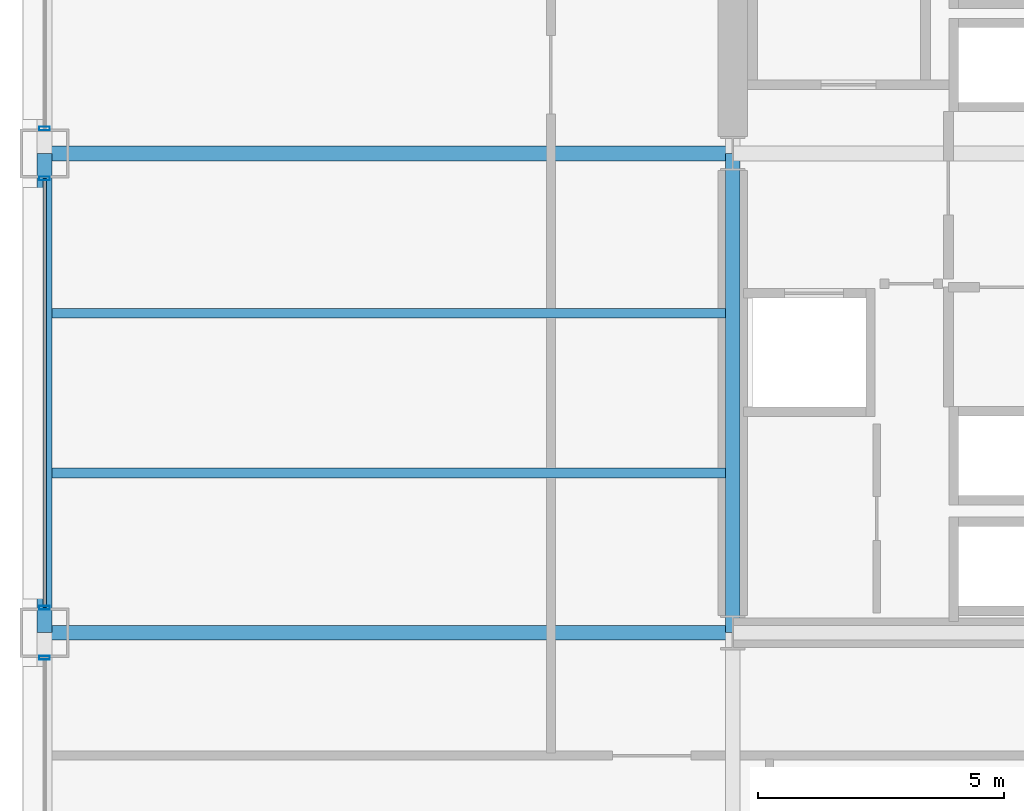
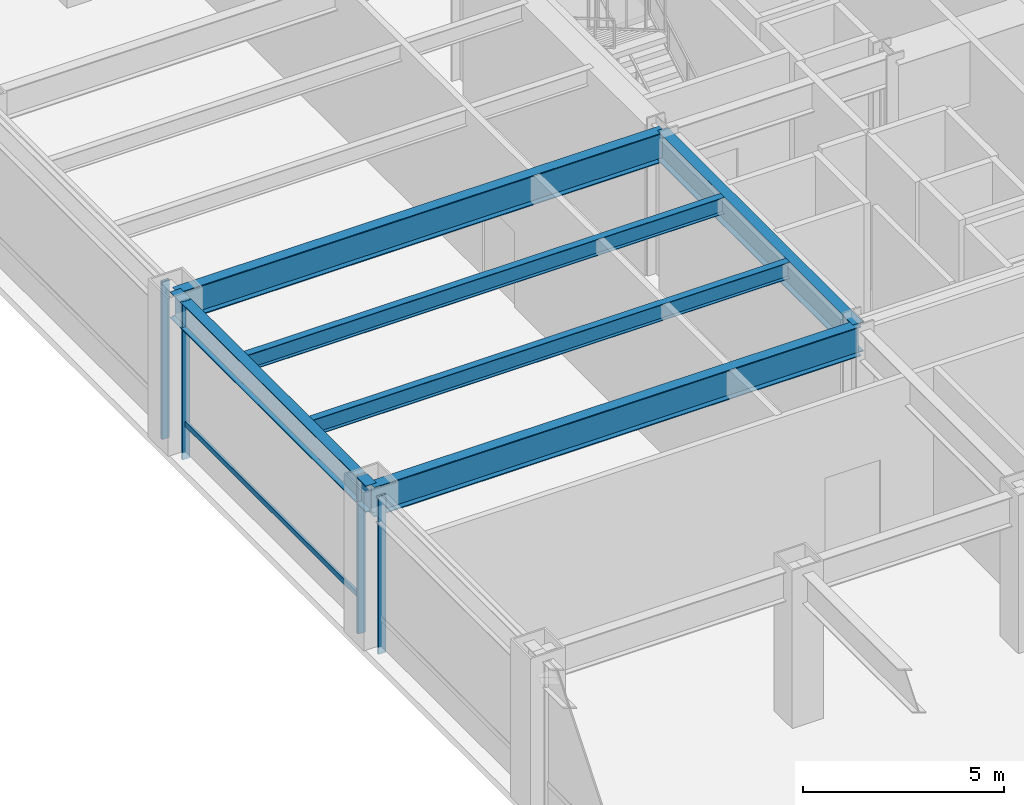
# One storey, part 6 of 37: 6 beams, 5 members, 3 elements without a shape of their own.
"""IFC4 building model written with IfcOpenShell, lengths in metres."""

from ifc_helpers import new_model, si_unit, direction, frame, origin, origin_2d, place, context, subcontext, project, spatial, hollow_rectangle, i_section, extrude, material, layer, layer_set, material_profile, profile_set, type_object, element, aggregate, save


model = new_model("IFC4")

# Units and contexts
model_context = context("Model", 3, precision=1e-05, world=origin(), true_north=direction((0.0, 1.0)))
body_context = subcontext(model_context, "Body", "Model", "MODEL_VIEW")
ifc_project = project(units=[si_unit("LENGTHUNIT", "METRE"), si_unit("AREAUNIT", "SQUARE_METRE"), si_unit("VOLUMEUNIT", "CUBIC_METRE"), si_unit("PLANEANGLEUNIT", "RADIAN"), si_unit("MASSUNIT", "GRAM", prefix="KILO")], contexts=[model_context])

# Site, building, storey
site_placement = place(None, origin())
site = spatial("IfcSite", under=ifc_project, at=site_placement, CompositionType="ELEMENT")
building_placement = place(site_placement, origin())
building = spatial("IfcBuilding", under=site, at=building_placement, Name="Brelmoor Portico Tower", CompositionType="ELEMENT")
storey_placement = place(building_placement, frame((0.0, 0.0, 14.39990234375)))
storey = spatial("IfcBuildingStorey", under=building, at=storey_placement, Name="L03", CompositionType="ELEMENT", Elevation=14.39990234375)

# Beams
ifc_material_1 = material(Name="Steel Q355B", Category="steel")
ifc_material_profile_1 = material_profile(ifc_material_1, i_section(OverallWidth=0.199951171875, OverallDepth=0.5, WebThickness=0.010009765625, FlangeThickness=0.01611328125, at=origin_2d()), Name="HN 500x200x10x16")
ifc_profile_set_1 = profile_set([ifc_material_profile_1], Name="Steel Q355B")
beam_type_1 = type_object("IfcBeamType", Name="BM-JS-500", PredefinedType="JOIST", material=ifc_profile_set_1)
for number, where, z_axis, x_axis, name in (
    (1, (-28.39990234375, -6.5, 4.330078125), (1.0, 0.0, 0.0), (0.0, 1.0, 0.0), "L03 Secondary Wing Joist JS-W01"),
    (2, (-28.39990234375, -3.25, 4.330078125), (1.0, 0.0, 0.0), (0.0, 1.0, 0.0), "L03 Secondary Wing Joist JS-W02"),
):
    element("IfcBeam", number, at=place(storey_placement, frame(where, z_axis=z_axis, x_axis=x_axis)), inside=storey, type_object=beam_type_1, Name=name, PredefinedType="JOIST", context=body_context, shape_type="SweptSolid", body=[
        extrude(i_section(OverallWidth=0.199951171875, OverallDepth=0.5, WebThickness=0.010009765625, FlangeThickness=0.01611328125, at=origin_2d()), origin(), (0.0, 0.0, 1.0), 13.699951171875),
    ])
ifc_material_profile_2 = material_profile(ifc_material_1, i_section(OverallWidth=0.300048828125, OverallDepth=0.89990234375, WebThickness=0.01611328125, FlangeThickness=0.028076171875, at=origin_2d()), Name="HN 900x300x16x28")
ifc_profile_set_2 = profile_set([ifc_material_profile_2], Name="Steel Q355B")
beam_type_2 = type_object("IfcBeamType", Name="BM-PG-900", PredefinedType="BEAM", material=ifc_profile_set_2)
beam_1_placement = place(storey_placement, frame((-14.550048828125, -9.75, 4.130126953125), z_axis=(0.0, 1.0, 0.0), x_axis=(-1.0, 0.0, 0.0)))
element("IfcBeam", 3, at=beam_1_placement, inside=storey, type_object=beam_type_2, Name="L03 Primary Floor Girder PG-06", PredefinedType="BEAM", context=body_context, shape_type="SweptSolid", body=[
    extrude(i_section(OverallWidth=0.300048828125, OverallDepth=0.89990234375, WebThickness=0.01611328125, FlangeThickness=0.028076171875, at=origin_2d()), origin(), (0.0, 0.0, 1.0), 9.75),
])
for number, where, z_axis, x_axis, name in (
    (4, (-28.550048828125, -9.75, 4.130126953125), (1.0, 0.0, 0.0), (0.0, 1.0, 0.0), "L03 Primary Floor Girder PG-25"),
    (5, (-28.550048828125, 0.0, 4.130126953125), (1.0, 0.0, 0.0), (0.0, 1.0, 0.0), "L03 Primary Floor Girder PG-30"),
):
    element("IfcBeam", number, at=place(storey_placement, frame(where, z_axis=z_axis, x_axis=x_axis)), inside=storey, type_object=beam_type_2, Name=name, PredefinedType="BEAM", context=body_context, shape_type="SweptSolid", body=[
        extrude(i_section(OverallWidth=0.300048828125, OverallDepth=0.89990234375, WebThickness=0.01611328125, FlangeThickness=0.028076171875, at=origin_2d()), origin(), (0.0, 0.0, 1.0), 14.0),
    ])
ifc_material_profile_3 = material_profile(ifc_material_1, i_section(OverallWidth=0.300048828125, OverallDepth=0.800048828125, WebThickness=0.013916015625, FlangeThickness=0.02587890625, at=origin_2d()), Name="HN 800x300x14x26")
ifc_profile_set_3 = profile_set([ifc_material_profile_3], Name="Steel Q355B")
beam_type_3 = type_object("IfcBeamType", Name="BM-SP-800", PredefinedType="SPANDREL", material=ifc_profile_set_3)
beam_2_placement = place(storey_placement, frame((-28.550048828125, -9.75, 4.18017578125), z_axis=(0.0, 1.0, 0.0), x_axis=(-1.0, 0.0, 0.0)))
element("IfcBeam", 6, at=beam_2_placement, inside=storey, type_object=beam_type_3, Name="L03 Perimeter Spandrel Beam SP-13", PredefinedType="SPANDREL", context=body_context, shape_type="SweptSolid", body=[
    extrude(i_section(OverallWidth=0.300048828125, OverallDepth=0.800048828125, WebThickness=0.013916015625, FlangeThickness=0.02587890625, at=origin_2d()), origin(), (0.0, 0.0, 1.0), 9.75),
])

# Curtain wall, member
ifc_material_2 = material(Name="Anodised Aluminium Alloy 6063-T6", Category="aluminium")
ifc_layer = layer(ifc_material_2, 0.179931640625)
ifc_layer_set = layer_set([ifc_layer], Name="Anodised Aluminium Alloy 6063-T6")
curtain_wall_type = type_object("IfcCurtainWallType", Name="CW-PODIUM-ARCH", PredefinedType="NOTDEFINED", material=ifc_layer_set)
curtain_wall_1_placement = place(storey_placement, origin())
curtain_wall_1 = element("IfcCurtainWall", 7, at=curtain_wall_1_placement, inside=storey, type_object=curtain_wall_type, Name="L03 Curtain Wall CW-L03-11-2", PredefinedType="NOTDEFINED")
ifc_material_profile_4 = material_profile(ifc_material_2, hollow_rectangle(XDim=0.074951171875, YDim=0.219970703125, WallThickness=0.0048828125, at=origin_2d()), Name="ALU MULLION 75x220")
ifc_profile_set_4 = profile_set([ifc_material_profile_4], Name="Anodised Aluminium Alloy 6063-T6")
member_type_1 = type_object("IfcMemberType", Name="MB-CW-MULL-220", PredefinedType="MULLION", material=ifc_profile_set_4)
member_1_placement = place(storey_placement, frame((-28.550048828125, -10.260009765625, -0.219970703125), z_axis=(0.0, 0.0, 1.0), x_axis=(0.0, 1.0, 0.0)))
member_1 = element("IfcMember", 8, at=member_1_placement, type_object=member_type_1, Name="CW-L03-11-2 Mullion 01", PredefinedType="MULLION", context=body_context, shape_type="SweptSolid", body=[
    extrude(hollow_rectangle(XDim=0.074951171875, YDim=0.219970703125, WallThickness=0.0048828125, at=origin_2d()), origin(), (0.0, 0.0, 1.0), 4.800048828125),
])
aggregate(curtain_wall_1, [member_1])

# Curtain wall, members
curtain_wall_2_placement = place(storey_placement, origin())
curtain_wall_2 = element("IfcCurtainWall", 9, at=curtain_wall_2_placement, inside=storey, type_object=curtain_wall_type, Name="L03 Curtain Wall CW-L03-11-3", PredefinedType="NOTDEFINED")
member_2_placement = place(storey_placement, frame((-28.550048828125, -9.239990234375, -0.219970703125), z_axis=(0.0, 0.0, 1.0), x_axis=(0.0, 1.0, 0.0)))
member_2 = element("IfcMember", 10, at=member_2_placement, type_object=member_type_1, Name="CW-L03-11-3 Mullion 00", PredefinedType="MULLION", context=body_context, shape_type="SweptSolid", body=[
    extrude(hollow_rectangle(XDim=0.074951171875, YDim=0.219970703125, WallThickness=0.0048828125, at=origin_2d()), origin(), (0.0, 0.0, 1.0), 4.800048828125),
])
member_3_placement = place(storey_placement, frame((-28.550048828125, -0.510009765625, -0.219970703125), z_axis=(0.0, 0.0, 1.0), x_axis=(0.0, 1.0, 0.0)))
member_3 = element("IfcMember", 11, at=member_3_placement, type_object=member_type_1, Name="CW-L03-11-3 Mullion 01", PredefinedType="MULLION", context=body_context, shape_type="SweptSolid", body=[
    extrude(hollow_rectangle(XDim=0.074951171875, YDim=0.219970703125, WallThickness=0.0048828125, at=origin_2d()), origin(), (0.0, 0.0, 1.0), 4.800048828125),
])

# Curtain wall, member
curtain_wall_3_placement = place(storey_placement, origin())
curtain_wall_3 = element("IfcCurtainWall", 12, at=curtain_wall_3_placement, inside=storey, type_object=curtain_wall_type, Name="L03 Curtain Wall CW-L03-11-4", PredefinedType="NOTDEFINED")
member_4_placement = place(storey_placement, frame((-28.550048828125, 0.510009765625, -0.219970703125), z_axis=(0.0, 0.0, 1.0), x_axis=(0.0, 1.0, 0.0)))
member_4 = element("IfcMember", 13, at=member_4_placement, type_object=member_type_1, Name="CW-L03-11-4 Mullion 00", PredefinedType="MULLION", context=body_context, shape_type="SweptSolid", body=[
    extrude(hollow_rectangle(XDim=0.074951171875, YDim=0.219970703125, WallThickness=0.0048828125, at=origin_2d()), origin(), (0.0, 0.0, 1.0), 4.800048828125),
])
aggregate(curtain_wall_3, [member_4])

# Member
ifc_material_profile_5 = material_profile(ifc_material_2, hollow_rectangle(XDim=0.070068359375, YDim=0.159912109375, WallThickness=0.00390625, at=origin_2d()), Name="ALU TRANSOM 70x160")
ifc_profile_set_5 = profile_set([ifc_material_profile_5], Name="Anodised Aluminium Alloy 6063-T6")
member_type_2 = type_object("IfcMemberType", Name="MB-CW-TRAN-160", PredefinedType="USERDEFINED", material=ifc_profile_set_5)
member_5_placement = place(storey_placement, frame((-28.550048828125, -9.239990234375, 0.85009765625), z_axis=(0.0, 1.0, 0.0), x_axis=(-1.0, 0.0, 0.0)))
member_5 = element("IfcMember", 14, at=member_5_placement, type_object=member_type_2, Name="CW-L03-11-3 Transom 1-00", ObjectType="TRANSOM", PredefinedType="USERDEFINED", context=body_context, shape_type="SweptSolid", body=[
    extrude(hollow_rectangle(XDim=0.070068359375, YDim=0.159912109375, WallThickness=0.00390625, at=origin_2d()), origin(), (0.0, 0.0, 1.0), 8.72998046875),
])

aggregate(curtain_wall_2, [member_2, member_3, member_5])

save(model, "model.ifc")
